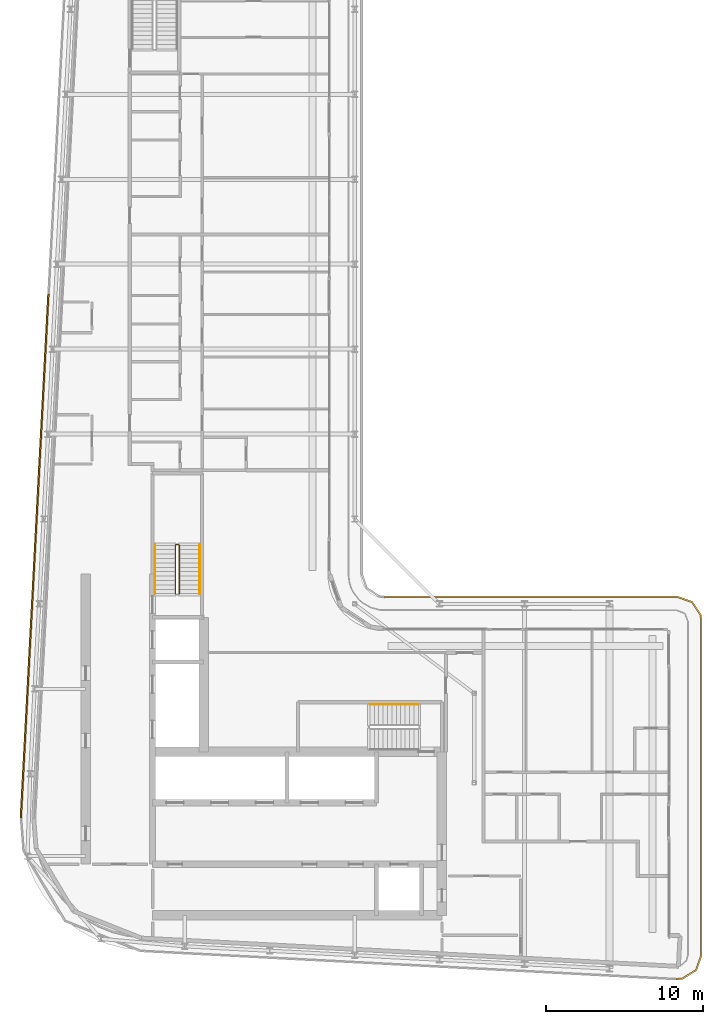
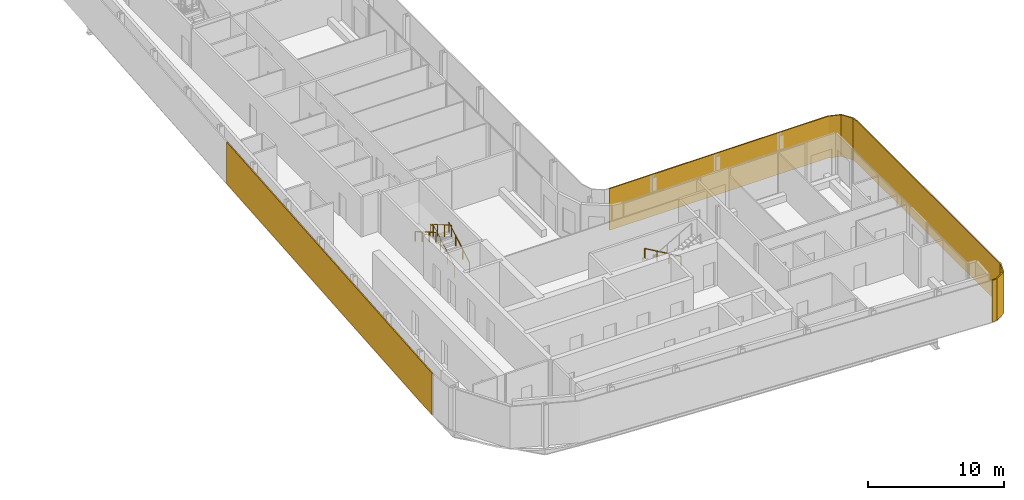
# One storey, part 18 of 21: 4 railings, 2 shading devices.
"""IFC4 building model written with IfcOpenShell, lengths in metres."""

import ifcopenshell
import ifcopenshell.guid

model = None  # the IFC model being written
_history = None  # IfcOwnerHistory: only IFC2X3 demands one
_inside = {}  # id of a spatial element -> (the spatial element, [elements in it])
_under = {}  # id of a project, library or spatial element -> (it, [spatial elements below it])
_declared = {}  # id of a project -> (the project, [libraries it declares])
_typed = {}  # id of a type object -> (the type object, [elements of that type])
_made_of = {}  # id of a material, layer set ... -> (it, [elements and type objects made of it])


def new_model(schema):
    """Start an empty IFC model of exactly this schema.

    Asked for "IFC4X3", IfcOpenShell would pick the latest addendum, in which some entities
    have other attributes; the version numbers below select the first issue.
    IFC2X3 requires an IfcOwnerHistory on every rooted entity: one is made here for all.
    """
    global model, _history
    if schema == "IFC4X3":
        model = ifcopenshell.file(schema_version=(4, 3, 0, 0))
    else:
        model = ifcopenshell.file(schema=schema)
    _inside.clear()
    _under.clear()
    _declared.clear()
    _typed.clear()
    _made_of.clear()
    _history = None
    if model.schema == "IFC2X3":
        org = make("IfcOrganization", Name="unknown")
        user = make(
            "IfcPersonAndOrganization",
            ThePerson=make("IfcPerson", FamilyName="unknown"),
            TheOrganization=org,
        )
        app = make(
            "IfcApplication",
            ApplicationDeveloper=org,
            Version="unknown",
            ApplicationFullName="unknown",
            ApplicationIdentifier="unknown",
        )
        _history = make(
            "IfcOwnerHistory",
            OwningUser=user,
            OwningApplication=app,
            ChangeAction="ADDED",
            CreationDate=0,
        )
    return model


def make(cls, **values):
    """One entity of the class cls with the attributes given. An attribute that is None is left unset."""
    return model.create_entity(
        cls, **{name: value for name, value in values.items() if value is not None}
    )


def rooted(cls, **values):
    """An entity with a GlobalId (a new one), such as an element, a storey or a relation."""
    return make(cls, GlobalId=ifcopenshell.guid.new(), OwnerHistory=_history, **values)


def si_unit(unit_type, name, prefix=None):
    """IfcSIUnit, for example si_unit("LENGTHUNIT", "METRE", prefix="MILLI")."""
    return make("IfcSIUnit", UnitType=unit_type, Prefix=prefix, Name=name)


def assignment(units):
    """IfcUnitAssignment: the units of a project."""
    return None if units is None else make("IfcUnitAssignment", Units=units)


def point(xyz):
    """IfcCartesianPoint."""
    return None if xyz is None else make("IfcCartesianPoint", Coordinates=xyz)


def direction(xyz):
    """IfcDirection."""
    return None if xyz is None else make("IfcDirection", DirectionRatios=xyz)


def frame(location, z_axis=None, x_axis=None):
    """IfcAxis2Placement3D, a coordinate frame: its origin and axes. An axis left out is left unset."""
    return make(
        "IfcAxis2Placement3D",
        Location=point(location),
        Axis=direction(z_axis),
        RefDirection=direction(x_axis),
    )


def frame_2d(location, x_axis=None):
    """IfcAxis2Placement2D, a coordinate frame in the plane: its origin and x axis."""
    return make(
        "IfcAxis2Placement2D", Location=point(location), RefDirection=direction(x_axis)
    )


def origin():
    """The frame at (0, 0, 0) with its axes left unset."""
    return frame((0.0, 0.0, 0.0))


def origin_2d():
    """The frame at (0, 0) in the plane with its x axis left unset."""
    return frame_2d((0.0, 0.0))


def place(relative_to, where):
    """IfcLocalPlacement: puts the frame where relative to a parent placement (None: the world)."""
    return make(
        "IfcLocalPlacement", PlacementRelTo=relative_to, RelativePlacement=where
    )


def context(
    kind, dimensions, precision=None, world=None, true_north=None, identifier=None
):
    """IfcGeometricRepresentationContext, for example the 3D "Model" context."""
    return make(
        "IfcGeometricRepresentationContext",
        ContextIdentifier=identifier,
        ContextType=kind,
        CoordinateSpaceDimension=dimensions,
        Precision=precision,
        WorldCoordinateSystem=world,
        TrueNorth=true_north,
    )


def subcontext(parent, identifier, kind, view, scale=None):
    """IfcGeometricRepresentationSubContext, for example "Body" below "Model"."""
    return make(
        "IfcGeometricRepresentationSubContext",
        ContextIdentifier=identifier,
        ContextType=kind,
        ParentContext=parent,
        TargetScale=scale,
        TargetView=view,
    )


def project(units=None, contexts=None):
    """IfcProject with its units and contexts."""
    return rooted(
        "IfcProject",
        Name="project",
        RepresentationContexts=contexts,
        UnitsInContext=assignment(units),
    )


def spatial(cls, under=None, at=None, **own):
    """A site, building, storey or space (cls), placed at a placement, below another one or the project."""
    s = rooted(cls, ObjectPlacement=at, **own)
    if under is not None:
        _under.setdefault(under.id(), (under, []))[1].append(s)
    return s


def polyline(points):
    """IfcPolyline through the points."""
    return make("IfcPolyline", Points=[point(p) for p in points])


def profile(cls, at=None, kind="AREA", **sizes):
    """A parametric profile (cls). Its sizes go by their IFC names, for example OverallWidth=200.0."""
    return make(cls, ProfileType=kind, Position=at, **sizes)


def rectangle(**sizes):
    """IfcRectangleProfileDef."""
    return profile("IfcRectangleProfileDef", **sizes)


def circle(**sizes):
    """IfcCircleProfileDef."""
    return profile("IfcCircleProfileDef", **sizes)


def outline(outer, holes=None, kind="AREA"):
    """IfcArbitraryClosedProfileDef: a profile drawn as a closed curve; with holes, ...WithVoids."""
    if holes is None:
        return make("IfcArbitraryClosedProfileDef", ProfileType=kind, OuterCurve=outer)
    return make(
        "IfcArbitraryProfileDefWithVoids",
        ProfileType=kind,
        OuterCurve=outer,
        InnerCurves=holes,
    )


def extrude(swept, where, along, depth):
    """IfcExtrudedAreaSolid: the profile swept, set in the frame where, extruded along a direction by depth."""
    return make(
        "IfcExtrudedAreaSolid",
        SweptArea=swept,
        Position=where,
        ExtrudedDirection=direction(along),
        Depth=depth,
    )


def shape(context_of_items, identifier, shape_type, items):
    """IfcShapeRepresentation: the items that make up one representation, for example the "Body"."""
    return make(
        "IfcShapeRepresentation",
        ContextOfItems=context_of_items,
        RepresentationIdentifier=identifier,
        RepresentationType=shape_type,
        Items=items,
    )


def material(Name=None, Category=None):
    """IfcMaterial."""
    return make("IfcMaterial", Name=Name, Category=Category)


def layer(
    of_material, thickness, ventilated=None, Name=None, Category=None, Priority=None
):
    """IfcMaterialLayer: one layer of a wall or slab, of a material (None: an air gap)."""
    return make(
        "IfcMaterialLayer",
        Material=of_material,
        LayerThickness=thickness,
        IsVentilated=ventilated,
        Name=Name,
        Category=Category,
        Priority=Priority,
    )


def layer_set(layers, Name=None):
    """IfcMaterialLayerSet."""
    return make("IfcMaterialLayerSet", MaterialLayers=layers, LayerSetName=Name)


def made_of(thing, what):
    """Note that an element or type object is made of a material, layer set ...; save() writes the relation."""
    if what is not None:
        _made_of.setdefault(what.id(), (what, []))[1].append(thing)
    return thing


def type_object(cls, material=None, **own):
    """A type object (cls), such as IfcWallType, which elements share."""
    return made_of(rooted(cls, **own), material)


def element(
    cls,
    number,
    at=None,
    inside=None,
    cuts=None,
    type_object=None,
    material=None,
    context=None,
    identifier="Body",
    shape_type=None,
    held_by="IfcProductDefinitionShape",
    body=None,
    shapes=None,
    **own,
):
    """One element of the class cls, such as IfcWall. Its Tag is "e" and its number.

    at: its placement. inside: the storey or other place that contains it. cuts: it is an
    opening in that element (IfcRelVoidsElement). A single representation is given by context,
    identifier, shape_type and body (its items); several are given by shapes. held_by: the class
    of the entity that holds the representations. save() writes the other relations.
    """
    e = rooted(cls, Tag="e%d" % number, ObjectPlacement=at, **own)
    if body is not None:
        shapes = [shape(context, identifier, shape_type, body)]
    if shapes is not None:
        e.Representation = make(held_by, Representations=shapes)
    if inside is not None:
        _inside.setdefault(inside.id(), (inside, []))[1].append(e)
    if cuts is not None:
        rooted(
            "IfcRelVoidsElement", RelatingBuildingElement=cuts, RelatedOpeningElement=e
        )
    if type_object is not None:
        _typed.setdefault(type_object.id(), (type_object, []))[1].append(e)
    return made_of(e, material)


def aggregate(whole, parts):
    """IfcRelAggregates: a whole, such as a stair, and the parts it consists of."""
    return rooted("IfcRelAggregates", RelatingObject=whole, RelatedObjects=parts)


def save(model, path):
    """Write the relations noted so far, then the file.

    IfcRelAggregates (storeys below a building ...), IfcRelContainedInSpatialStructure (elements
    in a storey), IfcRelDefinesByType, IfcRelAssociatesMaterial and IfcRelDeclares: one each for
    every whole, place, type object, material and project.
    """
    for whole, parts in _under.values():
        aggregate(whole, parts)
    for where, things in _inside.values():
        rooted(
            "IfcRelContainedInSpatialStructure",
            RelatedElements=things,
            RelatingStructure=where,
        )
    for kind, things in _typed.values():
        rooted("IfcRelDefinesByType", RelatedObjects=things, RelatingType=kind)
    for what, things in _made_of.values():
        rooted("IfcRelAssociatesMaterial", RelatedObjects=things, RelatingMaterial=what)
    for by, libraries in _declared.values():
        rooted("IfcRelDeclares", RelatingContext=by, RelatedDefinitions=libraries)
    model.write(path)


model = new_model("IFC4")

# Units and contexts
model_context = context("Model", 3, precision=1e-05, world=origin(), true_north=direction((0.0, 1.0)))
body_context = subcontext(model_context, "Body", "Model", "MODEL_VIEW")
ifc_project = project(units=[si_unit("LENGTHUNIT", "METRE"), si_unit("AREAUNIT", "SQUARE_METRE"), si_unit("VOLUMEUNIT", "CUBIC_METRE"), si_unit("PLANEANGLEUNIT", "RADIAN"), si_unit("MASSUNIT", "GRAM", prefix="KILO")], contexts=[model_context])

# Site, building, storey
site_placement = place(None, origin())
site = spatial("IfcSite", under=ifc_project, at=site_placement, CompositionType="ELEMENT")
building_placement = place(site_placement, origin())
building = spatial("IfcBuilding", under=site, at=building_placement, Name="Kheshtan School and Residences Tower", CompositionType="ELEMENT")
storey_placement = place(building_placement, frame((0.0, 0.0, 309.800048828125)))
storey = spatial("IfcBuildingStorey", under=building, at=storey_placement, Name="L73", CompositionType="ELEMENT", Elevation=309.800048828125)

# Shading devices
ifc_material_1 = material(Name="Terracotta baguette, extruded ceramic", Category="masonry")
ifc_layer_1 = layer(ifc_material_1, 0.10009765625)
ifc_layer_set_1 = layer_set([ifc_layer_1], Name="Ledge screen, terracotta baguettes")
shading_device_type_1 = type_object("IfcShadingDeviceType", Name="Ledge screen, terracotta baguettes", PredefinedType="USERDEFINED", material=ifc_layer_set_1)
shading_device_1_placement = place(storey_placement, frame((27.24609375, 48.638916015625, 0.0), z_axis=(0.0, 0.0, 1.0), x_axis=(0.052562536748, 0.998617634398, 0.0)))
element("IfcShadingDevice", 1, at=shading_device_1_placement, inside=storey, type_object=shading_device_type_1, Name="Screen L73 4", ObjectType="BAGUETTE", PredefinedType="USERDEFINED", context=body_context, shape_type="SweptSolid", body=[
    extrude(rectangle(XDim=33.341064453125, YDim=0.10009765625, at=origin_2d()), origin(), (0.0, 0.0, 1.0), 3.75),
])
ifc_material_2 = material(Name="Terracotta lattice, extruded ceramic", Category="masonry")
ifc_layer_2 = layer(ifc_material_2, 0.10009765625)
ifc_layer_set_2 = layer_set([ifc_layer_2], Name="Loggia screen, terracotta lattice")
shading_device_type_2 = type_object("IfcShadingDeviceType", Name="Loggia screen, terracotta lattice", PredefinedType="USERDEFINED", material=ifc_layer_set_2)
shading_device_2_placement = place(storey_placement, origin())
element("IfcShadingDevice", 2, at=shading_device_2_placement, inside=storey, type_object=shading_device_type_2, Name="Screen L73 2", ObjectType="SCREEN", PredefinedType="USERDEFINED", context=body_context, shape_type="SweptSolid", body=[
    extrude(outline(polyline([(49.5, 46.0), (68.10009765625, 46.0), (69.012939453125, 45.68994140625), (69.549072265625, 44.887939453125), (69.60009765625, 44.5), (69.60009765625, 23.285888671875), (69.27001953125, 22.346923828125), (68.424072265625, 21.822021484375), (68.02099609375, 21.7880859375), (68.029052734375, 21.68798828125), (68.4560546875, 21.72412109375), (69.35302734375, 22.281005859375), (69.699951171875, 23.26904296875), (69.699951171875, 44.507080078125), (69.64501953125, 44.924072265625), (69.076904296875, 45.77392578125), (68.116943359375, 46.10009765625), (49.5, 46.10009765625), (49.5, 46.0)])), origin(), (0.0, 0.0, 1.0), 3.75),
])

# Railings
ifc_material_3 = material(Name="Stainless steel balustrade", Category="steel")
railing_type_1 = type_object("IfcRailingType", Name="Stair guard 1100", PredefinedType="GUARDRAIL", material=ifc_material_3)
railing_1_placement = place(storey_placement, frame((36.449951171875, 46.25, 0.162353515625)))
element("IfcRailing", 3, at=railing_1_placement, inside=storey, type_object=railing_type_1, Name="L73 ST2 stair guard 1", PredefinedType="GUARDRAIL", context=body_context, shape_type="SweptSolid", body=[
    extrude(circle(Radius=0.02392578125, at=origin_2d()), frame((0.0, 0.0, 1.076171875), z_axis=(0.0, 0.864890721111, 0.501960198159), x_axis=(-1.0, 0.0, 0.0)), (0.0, 0.0, 1.0), 3.561279296875),
    extrude(circle(Radius=0.02392578125, at=origin_2d()), frame((0.0, 3.080078125, 2.86376953125), z_axis=(-0.708833529934, 0.705375805398, 0.0), x_axis=(-0.705375805398, -0.708833529934, 0.0)), (0.0, 0.0, 1.0), 0.070556640625),
    extrude(circle(Radius=0.02392578125, at=origin_2d()), frame((-0.050048828125, 3.1298828125, 2.86376953125), z_axis=(-1.0, 0.0, 0.0), x_axis=(0.0, -1.0, 0.0)), (0.0, 0.0, 1.0), 0.14990234375),
    extrude(circle(Radius=0.02392578125, at=origin_2d()), frame((-0.199951171875, 3.1298828125, 2.86376953125), z_axis=(-0.282336740067, -0.280959487676, 0.917250092119), x_axis=(0.705375805398, -0.708833529934, 0.0)), (0.0, 0.0, 1.0), 0.17724609375),
    extrude(circle(Radius=0.02392578125, at=origin_2d()), frame((-0.25, 3.080078125, 3.0263671875), z_axis=(0.0, -0.864920483161, 0.501908913857), x_axis=(1.0, 0.0, 0.0)), (0.0, 0.0, 1.0), 3.56103515625),
    extrude(circle(Radius=0.02099609375, at=origin_2d()), origin(), (0.0, 0.0, 1.0), 1.052001953125),
    extrude(circle(Radius=0.02099609375, at=origin_2d()), frame((0.0, 1.026611328125, 0.595947265625)), (0.0, 0.0, 1.0), 1.052001953125),
    extrude(circle(Radius=0.02099609375, at=origin_2d()), frame((0.0, 2.053466796875, 1.191650390625)), (0.0, 0.0, 1.0), 1.052001953125),
    extrude(circle(Radius=0.02099609375, at=origin_2d()), frame((0.0, 3.080078125, 1.78759765625)), (0.0, 0.0, 1.0), 1.052001953125),
    extrude(circle(Radius=0.02099609375, at=origin_2d()), frame((-0.050048828125, 3.1298828125, 1.78759765625)), (0.0, 0.0, 1.0), 1.052001953125),
    extrude(circle(Radius=0.02099609375, at=origin_2d()), frame((-0.199951171875, 3.1298828125, 1.78759765625)), (0.0, 0.0, 1.0), 1.052001953125),
    extrude(circle(Radius=0.02099609375, at=origin_2d()), frame((-0.25, 3.080078125, 1.9501953125)), (0.0, 0.0, 1.0), 1.052001953125),
    extrude(circle(Radius=0.02099609375, at=origin_2d()), frame((-0.25, 2.053466796875, 2.5458984375)), (0.0, 0.0, 1.0), 1.052001953125),
    extrude(circle(Radius=0.02099609375, at=origin_2d()), frame((-0.25, 1.026611328125, 3.141845703125)), (0.0, 0.0, 1.0), 1.052001953125),
    extrude(circle(Radius=0.02099609375, at=origin_2d()), frame((-0.25, 0.0, 3.737548828125)), (0.0, 0.0, 1.0), 1.052001953125),
])
ifc_material_4 = material(Name="Stainless steel handrail", Category="steel")
railing_type_2 = type_object("IfcRailingType", Name="Stair handrail 900", PredefinedType="HANDRAIL", material=ifc_material_4)
railing_2_placement = place(storey_placement, frame((51.64990234375, 39.199951171875, 0.162353515625)))
element("IfcRailing", 4, at=railing_2_placement, inside=storey, type_object=railing_type_2, Name="L73 ST1 stair handrail 1", PredefinedType="HANDRAIL", context=body_context, shape_type="SweptSolid", body=[
    extrude(circle(Radius=0.02392578125, at=origin_2d()), frame((0.0, 0.0, 0.8759765625), z_axis=(-0.864873446163, 0.0, 0.501989962173), x_axis=(0.0, -1.0, 0.0)), (0.0, 0.0, 1.0), 3.56103515625),
    extrude(circle(Radius=0.02099609375, at=origin_2d()), origin(), (0.0, 0.0, 1.0), 0.851806640625),
    extrude(circle(Radius=0.02099609375, at=origin_2d()), frame((-1.026611328125, 0.0, 0.595947265625)), (0.0, 0.0, 1.0), 0.851806640625),
    extrude(circle(Radius=0.02099609375, at=origin_2d()), frame((-2.05322265625, 0.0, 1.191650390625)), (0.0, 0.0, 1.0), 0.851806640625),
    extrude(circle(Radius=0.02099609375, at=origin_2d()), frame((-3.079833984375, 0.0, 1.78759765625)), (0.0, 0.0, 1.0), 0.851806640625),
])
railing_3_placement = place(storey_placement, frame((37.75, 46.25, 0.162353515625)))
element("IfcRailing", 5, at=railing_3_placement, inside=storey, type_object=railing_type_2, Name="L73 ST2 stair handrail 1", PredefinedType="HANDRAIL", context=body_context, shape_type="SweptSolid", body=[
    extrude(circle(Radius=0.02392578125, at=origin_2d()), frame((0.0, 0.0, 0.8759765625), z_axis=(0.0, 0.864890721111, 0.501960198159), x_axis=(-1.0, 0.0, 0.0)), (0.0, 0.0, 1.0), 3.561279296875),
    extrude(circle(Radius=0.02099609375, at=origin_2d()), origin(), (0.0, 0.0, 1.0), 0.851806640625),
    extrude(circle(Radius=0.02099609375, at=origin_2d()), frame((0.0, 1.026611328125, 0.595947265625)), (0.0, 0.0, 1.0), 0.851806640625),
    extrude(circle(Radius=0.02099609375, at=origin_2d()), frame((0.0, 2.053466796875, 1.191650390625)), (0.0, 0.0, 1.0), 0.851806640625),
    extrude(circle(Radius=0.02099609375, at=origin_2d()), frame((0.0, 3.080078125, 1.78759765625)), (0.0, 0.0, 1.0), 0.851806640625),
])
railing_4_placement = place(storey_placement, frame((34.89990234375, 49.330078125, 2.112548828125)))
element("IfcRailing", 6, at=railing_4_placement, inside=storey, type_object=railing_type_2, Name="L73 ST2 stair handrail 2", PredefinedType="HANDRAIL", context=body_context, shape_type="SweptSolid", body=[
    extrude(circle(Radius=0.02392578125, at=origin_2d()), frame((0.0, 0.0, 0.8759765625), z_axis=(0.0, -0.864920483161, 0.501908913857), x_axis=(1.0, 0.0, 0.0)), (0.0, 0.0, 1.0), 3.56103515625),
    extrude(circle(Radius=0.02099609375, at=origin_2d()), origin(), (0.0, 0.0, 1.0), 0.851806640625),
    extrude(circle(Radius=0.02099609375, at=origin_2d()), frame((0.0, -1.026611328125, 0.595703125)), (0.0, 0.0, 1.0), 0.851806640625),
    extrude(circle(Radius=0.02099609375, at=origin_2d()), frame((0.0, -2.053466796875, 1.191650390625)), (0.0, 0.0, 1.0), 0.851806640625),
    extrude(circle(Radius=0.02099609375, at=origin_2d()), frame((0.0, -3.080078125, 1.787353515625)), (0.0, 0.0, 1.0), 0.851806640625),
])

save(model, "model.ifc")
